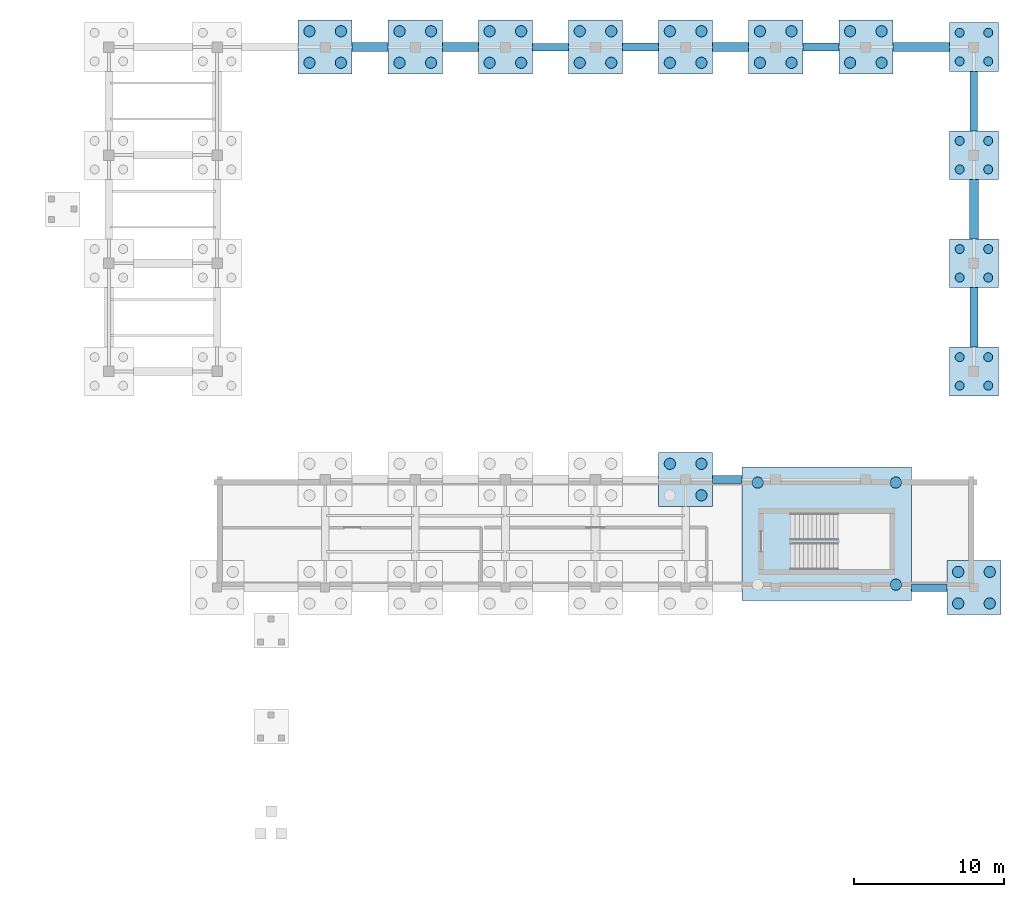
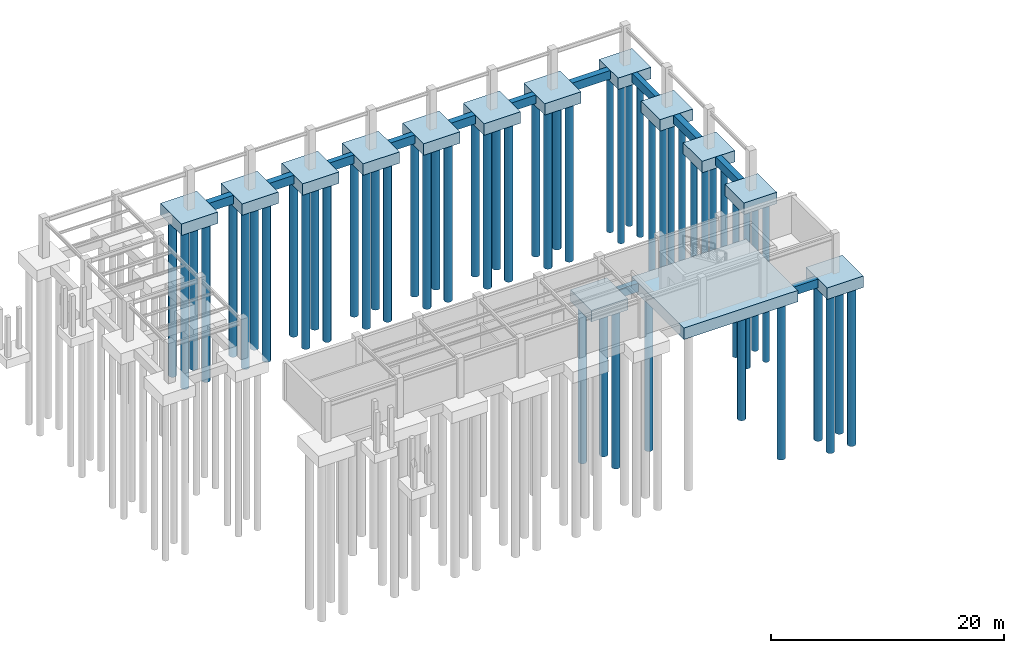
# One storey, part 7 of 31: 54 piles, 26 footings.
"""IFC4 building model written with IfcOpenShell, lengths in metres."""

from ifc_helpers import new_model, si_unit, direction, frame, origin, origin_2d, place, context, subcontext, project, spatial, rectangle, circle, extrude, material, material_profile, profile_set, type_object, element, save


model = new_model("IFC4")

# Units and contexts
model_context = context("Model", 3, precision=1e-05, world=origin(), true_north=direction((0.0, 1.0)))
body_context = subcontext(model_context, "Body", "Model", "MODEL_VIEW")
ifc_project = project(units=[si_unit("LENGTHUNIT", "METRE"), si_unit("AREAUNIT", "SQUARE_METRE"), si_unit("VOLUMEUNIT", "CUBIC_METRE"), si_unit("PLANEANGLEUNIT", "RADIAN"), si_unit("MASSUNIT", "GRAM", prefix="KILO")], contexts=[model_context])

# Site, building, storey
site_placement = place(None, origin())
site = spatial("IfcSite", under=ifc_project, at=site_placement, CompositionType="ELEMENT")
building_placement = place(site_placement, origin())
building = spatial("IfcBuilding", under=site, at=building_placement, Name="Brisavento Harbour Community Centre", CompositionType="ELEMENT")
storey_placement = place(building_placement, frame((0.0, 0.0, -4.199951171875)))
storey = spatial("IfcBuildingStorey", under=building, at=storey_placement, Name="B1", CompositionType="ELEMENT", Elevation=-4.199951171875)

# Footings
ifc_material = material(Name="Concrete C35/45", Category="concrete")
footing_type_1 = type_object("IfcFootingType", Name="FTG-GB-01", PredefinedType="FOOTING_BEAM", material=ifc_material)
footing_1_placement = place(storey_placement, frame((144.60009765625, 115.199951171875, -0.89990234375), z_axis=(0.0, 0.0, 1.0), x_axis=(1.0, 0.0, 0.0)))
element("IfcFooting", 1, at=footing_1_placement, inside=storey, type_object=footing_type_1, Name="Ground tie beam GB-117", PredefinedType="FOOTING_BEAM", context=body_context, shape_type="SweptSolid", body=[
    extrude(rectangle(XDim=2.39990234375, YDim=0.5, at=origin_2d()), origin(), (0.0, 0.0, 1.0), 0.89990234375),
])
footing_2_placement = place(storey_placement, frame((169.824951171875, 79.199951171875, -0.89990234375), z_axis=(0.0, 0.0, 1.0), x_axis=(1.0, 0.0, 0.0)))
element("IfcFooting", 2, at=footing_2_placement, inside=storey, type_object=footing_type_1, Name="Ground tie beam GB-129", PredefinedType="FOOTING_BEAM", context=body_context, shape_type="SweptSolid", body=[
    extrude(rectangle(XDim=2.35009765625, YDim=0.5, at=origin_2d()), origin(), (0.0, 0.0, 1.0), 0.89990234375),
])
footing_3_placement = place(storey_placement, frame((172.800048828125, 111.60009765625, -0.89990234375), z_axis=(0.0, 0.0, 1.0), x_axis=(1.0, 0.0, 0.0)))
element("IfcFooting", 3, at=footing_3_placement, inside=storey, type_object=footing_type_1, Name="Ground tie beam GB-141", PredefinedType="FOOTING_BEAM", context=body_context, shape_type="SweptSolid", body=[
    extrude(rectangle(XDim=0.5, YDim=3.949951171875, at=origin_2d()), origin(), (0.0, 0.0, 1.0), 0.89990234375),
])
footing_type_2 = type_object("IfcFootingType", Name="FTG-GB-02", PredefinedType="FOOTING_BEAM", material=ifc_material)
footing_4_placement = place(storey_placement, frame((150.60009765625, 115.199951171875, -0.89990234375), z_axis=(0.0, 0.0, 1.0), x_axis=(1.0, 0.0, 0.0)))
element("IfcFooting", 4, at=footing_4_placement, inside=storey, type_object=footing_type_2, Name="Ground tie beam GB-121", PredefinedType="FOOTING_BEAM", context=body_context, shape_type="SweptSolid", body=[
    extrude(rectangle(XDim=2.39990234375, YDim=0.550048828125, at=origin_2d()), origin(), (0.0, 0.0, 1.0), 0.89990234375),
])
footing_5_placement = place(storey_placement, frame((156.375, 86.39990234375, -0.89990234375), z_axis=(0.0, 0.0, 1.0), x_axis=(1.0, 0.0, 0.0)))
element("IfcFooting", 5, at=footing_5_placement, inside=storey, type_object=footing_type_2, Name="Ground tie beam GB-124", PredefinedType="FOOTING_BEAM", context=body_context, shape_type="SweptSolid", body=[
    extrude(rectangle(XDim=1.949951171875, YDim=0.550048828125, at=origin_2d()), origin(), (0.0, 0.0, 1.0), 0.89990234375),
])
footing_6_placement = place(storey_placement, frame((162.60009765625, 115.199951171875, -0.89990234375), z_axis=(0.0, 0.0, 1.0), x_axis=(1.0, 0.0, 0.0)))
element("IfcFooting", 6, at=footing_6_placement, inside=storey, type_object=footing_type_2, Name="Ground tie beam GB-127", PredefinedType="FOOTING_BEAM", context=body_context, shape_type="SweptSolid", body=[
    extrude(rectangle(XDim=2.39990234375, YDim=0.550048828125, at=origin_2d()), origin(), (0.0, 0.0, 1.0), 0.89990234375),
])
footing_7_placement = place(storey_placement, frame((172.800048828125, 97.199951171875, -0.89990234375), z_axis=(0.0, 0.0, 1.0), x_axis=(1.0, 0.0, 0.0)))
element("IfcFooting", 7, at=footing_7_placement, inside=storey, type_object=footing_type_2, Name="Ground tie beam GB-133", PredefinedType="FOOTING_BEAM", context=body_context, shape_type="SweptSolid", body=[
    extrude(rectangle(XDim=0.550048828125, YDim=3.949951171875, at=origin_2d()), origin(), (0.0, 0.0, 1.0), 0.89990234375),
])
footing_type_3 = type_object("IfcFootingType", Name="FTG-GB-03", PredefinedType="FOOTING_BEAM", material=ifc_material)
for number, where, z_axis, x_axis, name in (
    (8, (132.60009765625, 115.199951171875, -0.89990234375), (0.0, 0.0, 1.0), (1.0, 0.0, 0.0), "Ground tie beam GB-107"),
    (9, (138.60009765625, 115.199951171875, -0.89990234375), (0.0, 0.0, 1.0), (1.0, 0.0, 0.0), "Ground tie beam GB-113"),
    (10, (156.60009765625, 115.199951171875, -0.89990234375), (0.0, 0.0, 1.0), (1.0, 0.0, 0.0), "Ground tie beam GB-125"),
):
    element("IfcFooting", number, at=place(storey_placement, frame(where, z_axis=z_axis, x_axis=x_axis)), inside=storey, type_object=footing_type_3, Name=name, PredefinedType="FOOTING_BEAM", context=body_context, shape_type="SweptSolid", body=[
        extrude(rectangle(XDim=2.39990234375, YDim=0.60009765625, at=origin_2d()), origin(), (0.0, 0.0, 1.0), 0.89990234375),
    ])
footing_8_placement = place(storey_placement, frame((169.28759765625, 115.199951171875, -0.89990234375), z_axis=(0.0, 0.0, 1.0), x_axis=(1.0, 0.0, 0.0)))
element("IfcFooting", 11, at=footing_8_placement, inside=storey, type_object=footing_type_3, Name="Ground tie beam GB-128", PredefinedType="FOOTING_BEAM", context=body_context, shape_type="SweptSolid", body=[
    extrude(rectangle(XDim=3.77490234375, YDim=0.60009765625, at=origin_2d()), origin(), (0.0, 0.0, 1.0), 0.89990234375),
])
footing_9_placement = place(storey_placement, frame((172.800048828125, 104.39990234375, -0.89990234375), z_axis=(0.0, 0.0, 1.0), x_axis=(1.0, 0.0, 0.0)))
element("IfcFooting", 12, at=footing_9_placement, inside=storey, type_object=footing_type_3, Name="Ground tie beam GB-137", PredefinedType="FOOTING_BEAM", context=body_context, shape_type="SweptSolid", body=[
    extrude(rectangle(XDim=0.60009765625, YDim=3.949951171875, at=origin_2d()), origin(), (0.0, 0.0, 1.0), 0.89990234375),
])
footing_type_4 = type_object("IfcFootingType", Name="FTG-MAT-C4", PredefinedType="PILE_CAP", material=ifc_material)
footing_10_placement = place(storey_placement, frame((163.0, 82.800048828125, -1.2001953125), z_axis=(0.0, 0.0, 1.0), x_axis=(1.0, 0.0, 0.0)))
element("IfcFooting", 13, at=footing_10_placement, inside=storey, type_object=footing_type_4, Name="Stair core C4 mat pile cap", PredefinedType="PILE_CAP", context=body_context, shape_type="SweptSolid", body=[
    extrude(rectangle(XDim=11.300048828125, YDim=8.89990234375, at=origin_2d()), origin(), (0.0, 0.0, 1.0), 1.199951171875),
])
footing_type_5 = type_object("IfcFootingType", Name="FTG-PC-4A", PredefinedType="PILE_CAP", material=ifc_material)
for number, where, z_axis, x_axis, name in (
    (14, (172.800048828125, 93.60009765625, -1.2001953125), (0.0, 0.0, 1.0), (1.0, 0.0, 0.0), "Pile cap PC-126"),
    (15, (172.800048828125, 100.800048828125, -1.2001953125), (0.0, 0.0, 1.0), (1.0, 0.0, 0.0), "Pile cap PC-129"),
    (16, (172.800048828125, 108.0, -1.2001953125), (0.0, 0.0, 1.0), (1.0, 0.0, 0.0), "Pile cap PC-132"),
    (17, (172.800048828125, 115.199951171875, -1.2001953125), (0.0, 0.0, 1.0), (1.0, 0.0, 0.0), "Pile cap PC-135"),
):
    element("IfcFooting", number, at=place(storey_placement, frame(where, z_axis=z_axis, x_axis=x_axis)), inside=storey, type_object=footing_type_5, Name=name, PredefinedType="PILE_CAP", context=body_context, shape_type="SweptSolid", body=[
        extrude(rectangle(XDim=3.25, YDim=3.25, at=origin_2d()), origin(), (0.0, 0.0, 1.0), 1.199951171875),
    ])
footing_type_6 = type_object("IfcFootingType", Name="FTG-PC-4B", PredefinedType="PILE_CAP", material=ifc_material)
for number, where, z_axis, x_axis, name in (
    (18, (129.60009765625, 115.199951171875, -1.2001953125), (0.0, 0.0, 1.0), (1.0, 0.0, 0.0), "Pile cap PC-104"),
    (19, (135.60009765625, 115.199951171875, -1.2001953125), (0.0, 0.0, 1.0), (1.0, 0.0, 0.0), "Pile cap PC-107"),
    (20, (141.60009765625, 115.199951171875, -1.2001953125), (0.0, 0.0, 1.0), (1.0, 0.0, 0.0), "Pile cap PC-110"),
    (21, (147.60009765625, 115.199951171875, -1.2001953125), (0.0, 0.0, 1.0), (1.0, 0.0, 0.0), "Pile cap PC-113"),
    (22, (153.60009765625, 86.39990234375, -1.2001953125), (0.0, 0.0, 1.0), (1.0, 0.0, 0.0), "Pile cap PC-115"),
    (23, (153.60009765625, 115.199951171875, -1.2001953125), (0.0, 0.0, 1.0), (1.0, 0.0, 0.0), "Pile cap PC-116"),
    (24, (159.60009765625, 115.199951171875, -1.2001953125), (0.0, 0.0, 1.0), (1.0, 0.0, 0.0), "Pile cap PC-119"),
    (25, (165.60009765625, 115.199951171875, -1.2001953125), (0.0, 0.0, 1.0), (1.0, 0.0, 0.0), "Pile cap PC-122"),
    (26, (172.800048828125, 79.199951171875, -1.2001953125), (0.0, 0.0, 1.0), (1.0, 0.0, 0.0), "Pile cap PC-137"),
):
    element("IfcFooting", number, at=place(storey_placement, frame(where, z_axis=z_axis, x_axis=x_axis)), inside=storey, type_object=footing_type_6, Name=name, PredefinedType="PILE_CAP", context=body_context, shape_type="SweptSolid", body=[
        extrude(rectangle(XDim=3.60009765625, YDim=3.60009765625, at=origin_2d()), origin(), (0.0, 0.0, 1.0), 1.199951171875),
    ])

# Piles
ifc_material_profile_1 = material_profile(ifc_material, circle(Radius=0.300048828125, at=origin_2d()), Name="Concrete C35/45")
ifc_profile_set_1 = profile_set([ifc_material_profile_1], Name="Concrete C35/45")
pile_type_1 = type_object("IfcPileType", Name="PILE-600", PredefinedType="BORED", material=ifc_profile_set_1)
for number, where, z_axis, x_axis, name in (
    (27, (171.85009765625, 92.64990234375, -1.10009765625), (0.0, 0.0, -1.0), (1.0, 0.0, 0.0), "Bored pile PC-126-P1"),
    (28, (173.75, 92.64990234375, -1.10009765625), (0.0, 0.0, -1.0), (1.0, 0.0, 0.0), "Bored pile PC-126-P2"),
    (29, (171.85009765625, 94.550048828125, -1.10009765625), (0.0, 0.0, -1.0), (1.0, 0.0, 0.0), "Bored pile PC-126-P3"),
    (30, (173.75, 94.550048828125, -1.10009765625), (0.0, 0.0, -1.0), (1.0, 0.0, 0.0), "Bored pile PC-126-P4"),
    (31, (171.85009765625, 99.85009765625, -1.10009765625), (0.0, 0.0, -1.0), (1.0, 0.0, 0.0), "Bored pile PC-129-P1"),
    (32, (173.75, 99.85009765625, -1.10009765625), (0.0, 0.0, -1.0), (1.0, 0.0, 0.0), "Bored pile PC-129-P2"),
    (33, (171.85009765625, 101.75, -1.10009765625), (0.0, 0.0, -1.0), (1.0, 0.0, 0.0), "Bored pile PC-129-P3"),
    (34, (173.75, 101.75, -1.10009765625), (0.0, 0.0, -1.0), (1.0, 0.0, 0.0), "Bored pile PC-129-P4"),
    (35, (171.85009765625, 107.050048828125, -1.10009765625), (0.0, 0.0, -1.0), (1.0, 0.0, 0.0), "Bored pile PC-132-P1"),
    (36, (173.75, 107.050048828125, -1.10009765625), (0.0, 0.0, -1.0), (1.0, 0.0, 0.0), "Bored pile PC-132-P2"),
    (37, (171.85009765625, 108.949951171875, -1.10009765625), (0.0, 0.0, -1.0), (1.0, 0.0, 0.0), "Bored pile PC-132-P3"),
    (38, (173.75, 108.949951171875, -1.10009765625), (0.0, 0.0, -1.0), (1.0, 0.0, 0.0), "Bored pile PC-132-P4"),
    (39, (171.85009765625, 114.25, -1.10009765625), (0.0, 0.0, -1.0), (1.0, 0.0, 0.0), "Bored pile PC-135-P1"),
    (40, (173.75, 114.25, -1.10009765625), (0.0, 0.0, -1.0), (1.0, 0.0, 0.0), "Bored pile PC-135-P2"),
    (41, (171.85009765625, 116.14990234375, -1.10009765625), (0.0, 0.0, -1.0), (1.0, 0.0, 0.0), "Bored pile PC-135-P3"),
    (42, (173.75, 116.14990234375, -1.10009765625), (0.0, 0.0, -1.0), (1.0, 0.0, 0.0), "Bored pile PC-135-P4"),
):
    element("IfcPile", number, at=place(storey_placement, frame(where, z_axis=z_axis, x_axis=x_axis)), inside=storey, type_object=pile_type_1, Name=name, PredefinedType="BORED", context=body_context, shape_type="SweptSolid", body=[
        extrude(circle(Radius=0.300048828125, at=origin_2d()), origin(), (0.0, 0.0, 1.0), 16.699951171875),
    ])
ifc_material_profile_2 = material_profile(ifc_material, circle(Radius=0.375, at=origin_2d()), Name="Concrete C35/45")
ifc_profile_set_2 = profile_set([ifc_material_profile_2], Name="Concrete C35/45")
pile_type_2 = type_object("IfcPileType", Name="PILE-750", PredefinedType="BORED", material=ifc_profile_set_2)
for number, where, z_axis, x_axis, name in (
    (43, (167.60009765625, 79.39990234375, -1.10009765625), (0.0, 0.0, -1.0), (1.0, 0.0, 0.0), "Core C4 bored pile P2"),
    (44, (158.39990234375, 86.199951171875, -1.10009765625), (0.0, 0.0, -1.0), (1.0, 0.0, 0.0), "Core C4 bored pile P3"),
    (45, (167.60009765625, 86.199951171875, -1.10009765625), (0.0, 0.0, -1.0), (1.0, 0.0, 0.0), "Core C4 bored pile P4"),
    (46, (128.550048828125, 114.14990234375, -1.10009765625), (0.0, 0.0, -1.0), (1.0, 0.0, 0.0), "Bored pile PC-104-P1"),
    (47, (130.64990234375, 114.14990234375, -1.10009765625), (0.0, 0.0, -1.0), (1.0, 0.0, 0.0), "Bored pile PC-104-P2"),
    (48, (128.550048828125, 116.25, -1.10009765625), (0.0, 0.0, -1.0), (1.0, 0.0, 0.0), "Bored pile PC-104-P3"),
    (49, (130.64990234375, 116.25, -1.10009765625), (0.0, 0.0, -1.0), (1.0, 0.0, 0.0), "Bored pile PC-104-P4"),
    (50, (134.550048828125, 114.14990234375, -1.10009765625), (0.0, 0.0, -1.0), (1.0, 0.0, 0.0), "Bored pile PC-107-P1"),
    (51, (136.64990234375, 114.14990234375, -1.10009765625), (0.0, 0.0, -1.0), (1.0, 0.0, 0.0), "Bored pile PC-107-P2"),
    (52, (134.550048828125, 116.25, -1.10009765625), (0.0, 0.0, -1.0), (1.0, 0.0, 0.0), "Bored pile PC-107-P3"),
    (53, (136.64990234375, 116.25, -1.10009765625), (0.0, 0.0, -1.0), (1.0, 0.0, 0.0), "Bored pile PC-107-P4"),
    (54, (140.550048828125, 114.14990234375, -1.10009765625), (0.0, 0.0, -1.0), (1.0, 0.0, 0.0), "Bored pile PC-110-P1"),
    (55, (142.64990234375, 114.14990234375, -1.10009765625), (0.0, 0.0, -1.0), (1.0, 0.0, 0.0), "Bored pile PC-110-P2"),
    (56, (140.550048828125, 116.25, -1.10009765625), (0.0, 0.0, -1.0), (1.0, 0.0, 0.0), "Bored pile PC-110-P3"),
    (57, (142.64990234375, 116.25, -1.10009765625), (0.0, 0.0, -1.0), (1.0, 0.0, 0.0), "Bored pile PC-110-P4"),
    (58, (146.550048828125, 114.14990234375, -1.10009765625), (0.0, 0.0, -1.0), (1.0, 0.0, 0.0), "Bored pile PC-113-P1"),
    (59, (148.64990234375, 114.14990234375, -1.10009765625), (0.0, 0.0, -1.0), (1.0, 0.0, 0.0), "Bored pile PC-113-P2"),
    (60, (146.550048828125, 116.25, -1.10009765625), (0.0, 0.0, -1.0), (1.0, 0.0, 0.0), "Bored pile PC-113-P3"),
    (61, (148.64990234375, 116.25, -1.10009765625), (0.0, 0.0, -1.0), (1.0, 0.0, 0.0), "Bored pile PC-113-P4"),
    (62, (154.64990234375, 85.35009765625, -1.10009765625), (0.0, 0.0, -1.0), (1.0, 0.0, 0.0), "Bored pile PC-115-P2"),
    (63, (152.550048828125, 87.449951171875, -1.10009765625), (0.0, 0.0, -1.0), (1.0, 0.0, 0.0), "Bored pile PC-115-P3"),
    (64, (154.64990234375, 87.449951171875, -1.10009765625), (0.0, 0.0, -1.0), (1.0, 0.0, 0.0), "Bored pile PC-115-P4"),
    (65, (152.550048828125, 114.14990234375, -1.10009765625), (0.0, 0.0, -1.0), (1.0, 0.0, 0.0), "Bored pile PC-116-P1"),
    (66, (154.64990234375, 114.14990234375, -1.10009765625), (0.0, 0.0, -1.0), (1.0, 0.0, 0.0), "Bored pile PC-116-P2"),
    (67, (152.550048828125, 116.25, -1.10009765625), (0.0, 0.0, -1.0), (1.0, 0.0, 0.0), "Bored pile PC-116-P3"),
    (68, (154.64990234375, 116.25, -1.10009765625), (0.0, 0.0, -1.0), (1.0, 0.0, 0.0), "Bored pile PC-116-P4"),
    (69, (158.550048828125, 114.14990234375, -1.10009765625), (0.0, 0.0, -1.0), (1.0, 0.0, 0.0), "Bored pile PC-119-P1"),
    (70, (160.64990234375, 114.14990234375, -1.10009765625), (0.0, 0.0, -1.0), (1.0, 0.0, 0.0), "Bored pile PC-119-P2"),
    (71, (158.550048828125, 116.25, -1.10009765625), (0.0, 0.0, -1.0), (1.0, 0.0, 0.0), "Bored pile PC-119-P3"),
    (72, (160.64990234375, 116.25, -1.10009765625), (0.0, 0.0, -1.0), (1.0, 0.0, 0.0), "Bored pile PC-119-P4"),
    (73, (164.550048828125, 114.14990234375, -1.10009765625), (0.0, 0.0, -1.0), (1.0, 0.0, 0.0), "Bored pile PC-122-P1"),
    (74, (166.64990234375, 114.14990234375, -1.10009765625), (0.0, 0.0, -1.0), (1.0, 0.0, 0.0), "Bored pile PC-122-P2"),
    (75, (164.550048828125, 116.25, -1.10009765625), (0.0, 0.0, -1.0), (1.0, 0.0, 0.0), "Bored pile PC-122-P3"),
    (76, (166.64990234375, 116.25, -1.10009765625), (0.0, 0.0, -1.0), (1.0, 0.0, 0.0), "Bored pile PC-122-P4"),
    (77, (171.75, 78.14990234375, -1.10009765625), (0.0, 0.0, -1.0), (1.0, 0.0, 0.0), "Bored pile PC-137-P1"),
    (78, (173.85009765625, 78.14990234375, -1.10009765625), (0.0, 0.0, -1.0), (1.0, 0.0, 0.0), "Bored pile PC-137-P2"),
    (79, (171.75, 80.25, -1.10009765625), (0.0, 0.0, -1.0), (1.0, 0.0, 0.0), "Bored pile PC-137-P3"),
    (80, (173.85009765625, 80.25, -1.10009765625), (0.0, 0.0, -1.0), (1.0, 0.0, 0.0), "Bored pile PC-137-P4"),
):
    element("IfcPile", number, at=place(storey_placement, frame(where, z_axis=z_axis, x_axis=x_axis)), inside=storey, type_object=pile_type_2, Name=name, PredefinedType="BORED", context=body_context, shape_type="SweptSolid", body=[
        extrude(circle(Radius=0.375, at=origin_2d()), origin(), (0.0, 0.0, 1.0), 16.699951171875),
    ])

save(model, "model.ifc")
